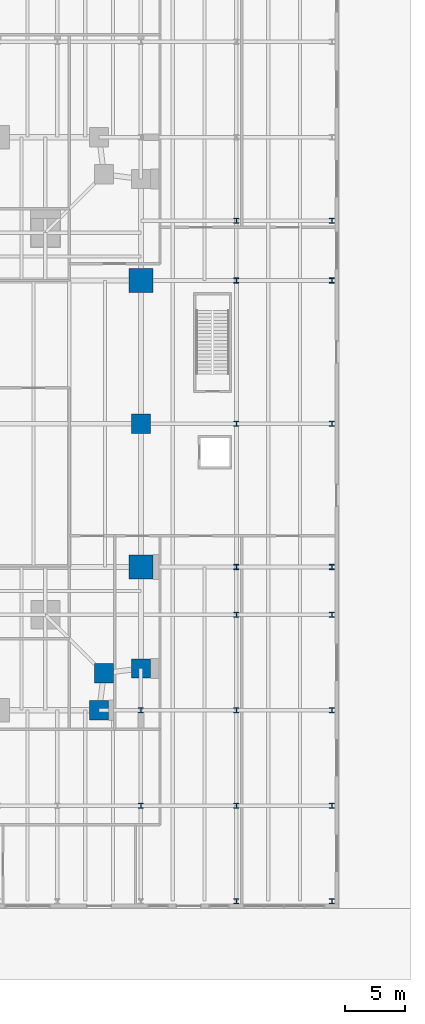
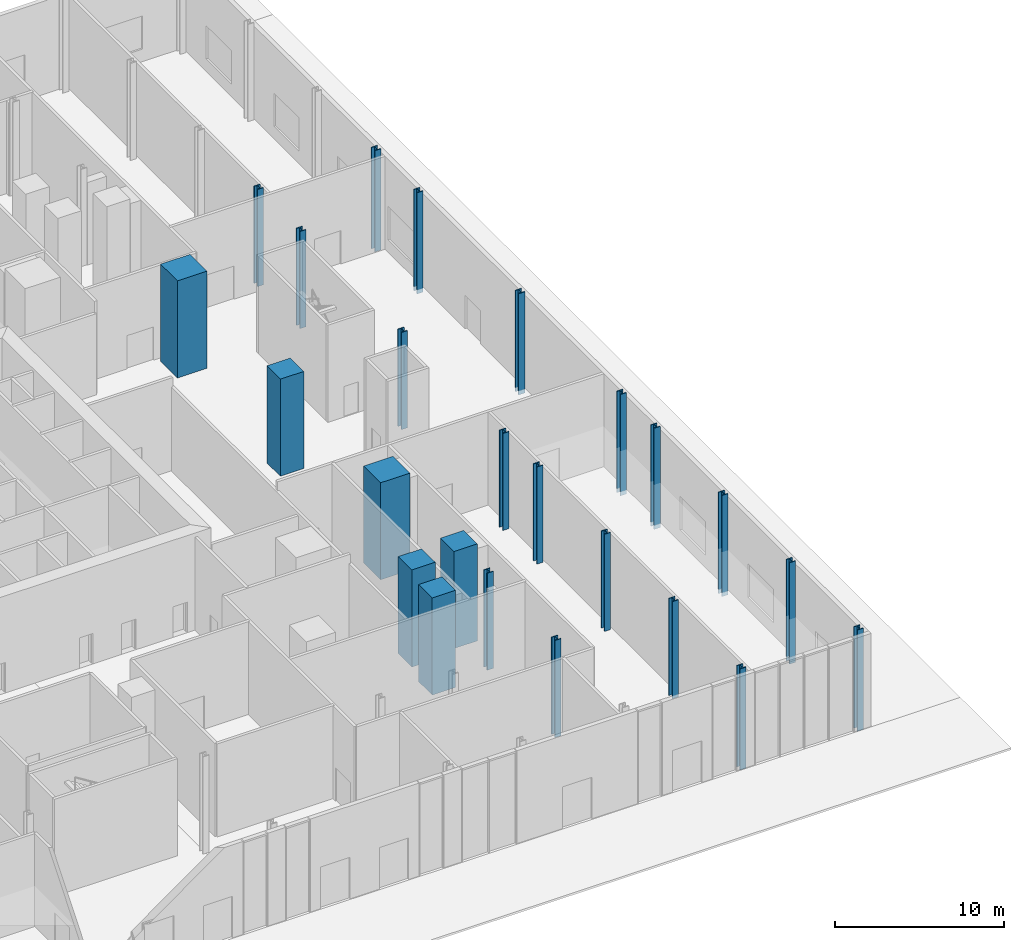
# One storey, part 2 of 20: 24 columns.
"""IFC4 building model written with IfcOpenShell, lengths in metres."""

from ifc_helpers import new_model, si_unit, direction, frame, origin, origin_2d, place, context, subcontext, project, spatial, rectangle, i_section, extrude, material, material_profile, profile_set, type_object, element, save


model = new_model("IFC4")

# Units and contexts
model_context = context("Model", 3, precision=1e-05, world=origin(), true_north=direction((0.0, 1.0)))
body_context = subcontext(model_context, "Body", "Model", "MODEL_VIEW")
ifc_project = project(units=[si_unit("LENGTHUNIT", "METRE"), si_unit("AREAUNIT", "SQUARE_METRE"), si_unit("VOLUMEUNIT", "CUBIC_METRE"), si_unit("PLANEANGLEUNIT", "RADIAN"), si_unit("MASSUNIT", "GRAM", prefix="KILO")], contexts=[model_context])

# Site, building, storey
site_placement = place(None, origin())
site = spatial("IfcSite", under=ifc_project, at=site_placement, CompositionType="ELEMENT")
building_placement = place(site_placement, origin())
building = spatial("IfcBuilding", under=site, at=building_placement, Name="Fenwick Lantern Interchange", CompositionType="ELEMENT")
storey_placement = place(building_placement, origin())
storey = spatial("IfcBuildingStorey", under=building, at=storey_placement, Name="L00", CompositionType="ELEMENT", Elevation=0.0)

# Columns
ifc_material_1 = material(Name="Concrete f'c 70 MPa", Category="concrete")
ifc_material_profile_1 = material_profile(ifc_material_1, rectangle(XDim=1.60009765625, YDim=1.60009765625, at=origin_2d()), Name="RC1600X1600")
ifc_profile_set_1 = profile_set([ifc_material_profile_1], Name="Concrete f'c 70 MPa")
column_type_1 = type_object("IfcColumnType", Name="PERIMETER COLUMN RC1600X1600", PredefinedType="COLUMN", material=ifc_profile_set_1)
for number, where, z_axis, x_axis, name in (
    (1, (45.5, 1.0, 0.0), (0.0, 0.0, 1.0), (1.0, 0.0, 0.0), "L00/CS5"),
    (2, (45.89990234375, 4.10009765625, 0.0), (0.0, 0.0, 1.0), (1.0, 0.0, 0.0), "L00/CSR"),
    (3, (49.0, 4.5, 0.0), (0.0, 0.0, 1.0), (1.0, 0.0, 0.0), "L00/CE1"),
    (4, (49.0, 25.0, 0.0), (0.0, 0.0, 1.0), (1.0, 0.0, 0.0), "L00/CE3"),
):
    element("IfcColumn", number, at=place(storey_placement, frame(where, z_axis=z_axis, x_axis=x_axis)), inside=storey, type_object=column_type_1, Name=name, PredefinedType="COLUMN", context=body_context, shape_type="SweptSolid", body=[
        extrude(rectangle(XDim=1.60009765625, YDim=1.60009765625, at=origin_2d()), origin(), (0.0, 0.0, 1.0), 7.0),
    ])
ifc_material_profile_2 = material_profile(ifc_material_1, rectangle(XDim=2.0, YDim=2.0, at=origin_2d()), Name="RC2000X2000")
ifc_profile_set_2 = profile_set([ifc_material_profile_2], Name="Concrete f'c 70 MPa")
column_type_2 = type_object("IfcColumnType", Name="PERIMETER COLUMN RC2000X2000", PredefinedType="COLUMN", material=ifc_profile_set_2)
for number, where, z_axis, x_axis, name in (
    (5, (49.0, 13.0, 0.0), (0.0, 0.0, 1.0), (1.0, 0.0, 0.0), "L00/CE2"),
    (6, (49.0, 37.0, 0.0), (0.0, 0.0, 1.0), (1.0, 0.0, 0.0), "L00/CE4"),
):
    element("IfcColumn", number, at=place(storey_placement, frame(where, z_axis=z_axis, x_axis=x_axis)), inside=storey, type_object=column_type_2, Name=name, PredefinedType="COLUMN", context=body_context, shape_type="SweptSolid", body=[
        extrude(rectangle(XDim=2.0, YDim=2.0, at=origin_2d()), origin(), (0.0, 0.0, 1.0), 7.0),
    ])
ifc_material_2 = material(Name="Steel ASTM A992 Grade 50", Category="steel")
ifc_material_profile_3 = material_profile(ifc_material_2, i_section(OverallWidth=0.41650390625, OverallDepth=0.444580078125, WebThickness=0.0390625, FlangeThickness=0.062744140625, at=origin_2d()), Name="W14X342")
ifc_profile_set_3 = profile_set([ifc_material_profile_3], Name="Steel ASTM A992 Grade 50")
column_type_3 = type_object("IfcColumnType", Name="PODIUM COLUMN W14X342", PredefinedType="COLUMN", material=ifc_profile_set_3)
for number, where, z_axis, x_axis, name in (
    (7, (49.0, -7.0, 0.0), (0.0, 0.0, 1.0), (1.0, 0.0, 0.0), "L00/PB9"),
    (8, (49.0, 1.0, 0.0), (0.0, 0.0, 1.0), (1.0, 0.0, 0.0), "L00/PC9"),
):
    element("IfcColumn", number, at=place(storey_placement, frame(where, z_axis=z_axis, x_axis=x_axis)), inside=storey, type_object=column_type_3, Name=name, PredefinedType="COLUMN", context=body_context, shape_type="SweptSolid", body=[
        extrude(i_section(OverallWidth=0.41650390625, OverallDepth=0.444580078125, WebThickness=0.0390625, FlangeThickness=0.062744140625, at=origin_2d()), origin(), (0.0, 0.0, 1.0), 7.0),
    ])
column_placement = place(storey_placement, frame((57.0, -15.0, -0.300048828125), z_axis=(0.0, 0.0, 1.0), x_axis=(1.0, 0.0, 0.0)))
element("IfcColumn", 9, at=column_placement, inside=storey, type_object=column_type_3, Name="L00/PA10", PredefinedType="COLUMN", context=body_context, shape_type="SweptSolid", body=[
    extrude(i_section(OverallWidth=0.41650390625, OverallDepth=0.444580078125, WebThickness=0.0390625, FlangeThickness=0.062744140625, at=origin_2d()), origin(), (0.0, 0.0, 1.0), 7.300048828125),
])
for number, where, z_axis, x_axis, name in (
    (10, (57.0, -7.0, 0.0), (0.0, 0.0, 1.0), (1.0, 0.0, 0.0), "L00/PB10"),
    (11, (57.0, 1.0, 0.0), (0.0, 0.0, 1.0), (1.0, 0.0, 0.0), "L00/PC10"),
    (12, (57.0, 9.0, 0.0), (0.0, 0.0, 1.0), (1.0, 0.0, 0.0), "L00/PD10"),
    (13, (57.0, 13.0, 0.0), (0.0, 0.0, 1.0), (1.0, 0.0, 0.0), "L00/PE10"),
    (14, (57.0, 25.0, 0.0), (0.0, 0.0, 1.0), (1.0, 0.0, 0.0), "L00/PF10"),
    (15, (57.0, 37.0, 0.0), (0.0, 0.0, 1.0), (1.0, 0.0, 0.0), "L00/PG10"),
    (16, (57.0, 42.0, 0.0), (0.0, 0.0, 1.0), (1.0, 0.0, 0.0), "L00/PH10"),
):
    element("IfcColumn", number, at=place(storey_placement, frame(where, z_axis=z_axis, x_axis=x_axis)), inside=storey, type_object=column_type_3, Name=name, PredefinedType="COLUMN", context=body_context, shape_type="SweptSolid", body=[
        extrude(i_section(OverallWidth=0.41650390625, OverallDepth=0.444580078125, WebThickness=0.0390625, FlangeThickness=0.062744140625, at=origin_2d()), origin(), (0.0, 0.0, 1.0), 7.0),
    ])
for number, where, z_axis, x_axis, name in (
    (17, (65.0, -15.0, -0.300048828125), (0.0, 0.0, 1.0), (1.0, 0.0, 0.0), "L00/PA11"),
    (18, (65.0, -7.0, -0.300048828125), (0.0, 0.0, 1.0), (1.0, 0.0, 0.0), "L00/PB11"),
    (19, (65.0, 1.0, -0.300048828125), (0.0, 0.0, 1.0), (1.0, 0.0, 0.0), "L00/PC11"),
    (20, (65.0, 9.0, -0.300048828125), (0.0, 0.0, 1.0), (1.0, 0.0, 0.0), "L00/PD11"),
    (21, (65.0, 13.0, -0.300048828125), (0.0, 0.0, 1.0), (1.0, 0.0, 0.0), "L00/PE11"),
    (22, (65.0, 25.0, -0.300048828125), (0.0, 0.0, 1.0), (1.0, 0.0, 0.0), "L00/PF11"),
    (23, (65.0, 37.0, -0.300048828125), (0.0, 0.0, 1.0), (1.0, 0.0, 0.0), "L00/PG11"),
    (24, (65.0, 42.0, -0.300048828125), (0.0, 0.0, 1.0), (1.0, 0.0, 0.0), "L00/PH11"),
):
    element("IfcColumn", number, at=place(storey_placement, frame(where, z_axis=z_axis, x_axis=x_axis)), inside=storey, type_object=column_type_3, Name=name, PredefinedType="COLUMN", context=body_context, shape_type="SweptSolid", body=[
        extrude(i_section(OverallWidth=0.41650390625, OverallDepth=0.444580078125, WebThickness=0.0390625, FlangeThickness=0.062744140625, at=origin_2d()), origin(), (0.0, 0.0, 1.0), 7.300048828125),
    ])

save(model, "model.ifc")
